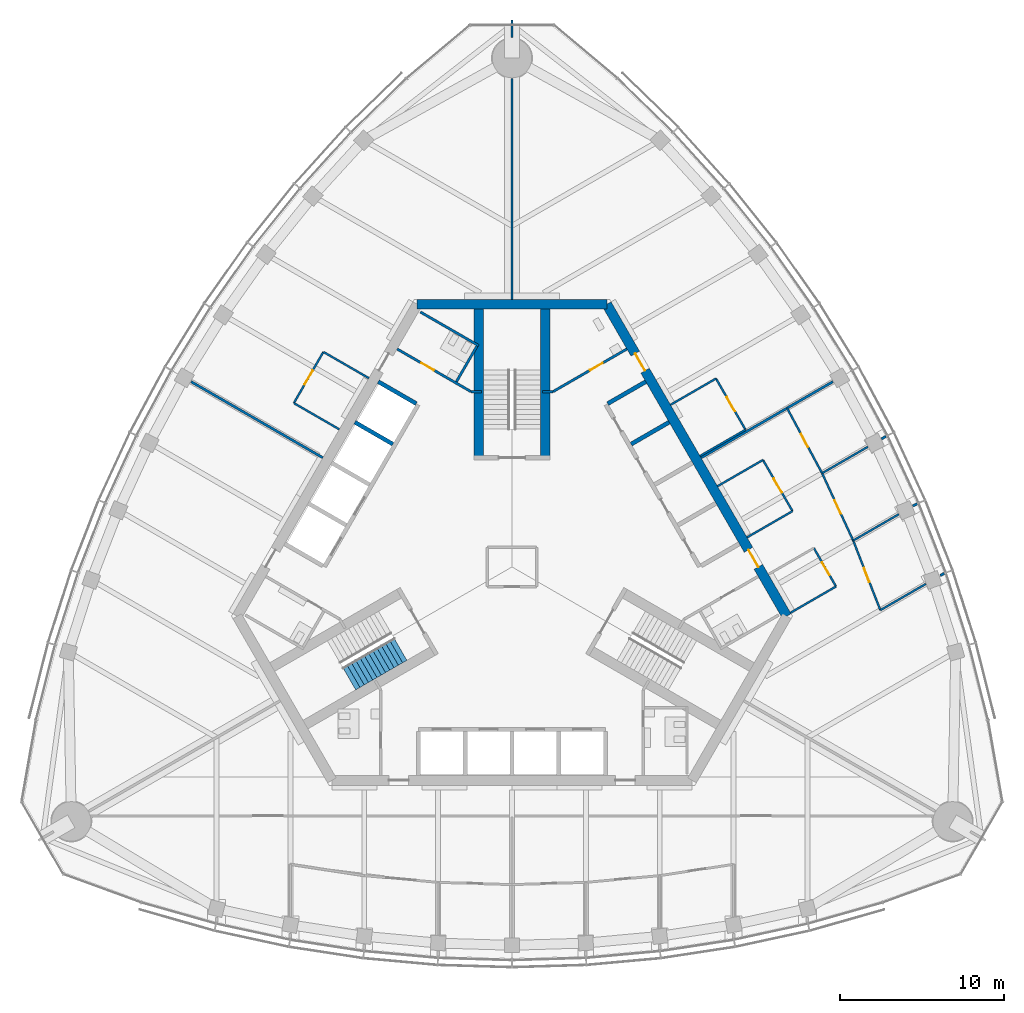
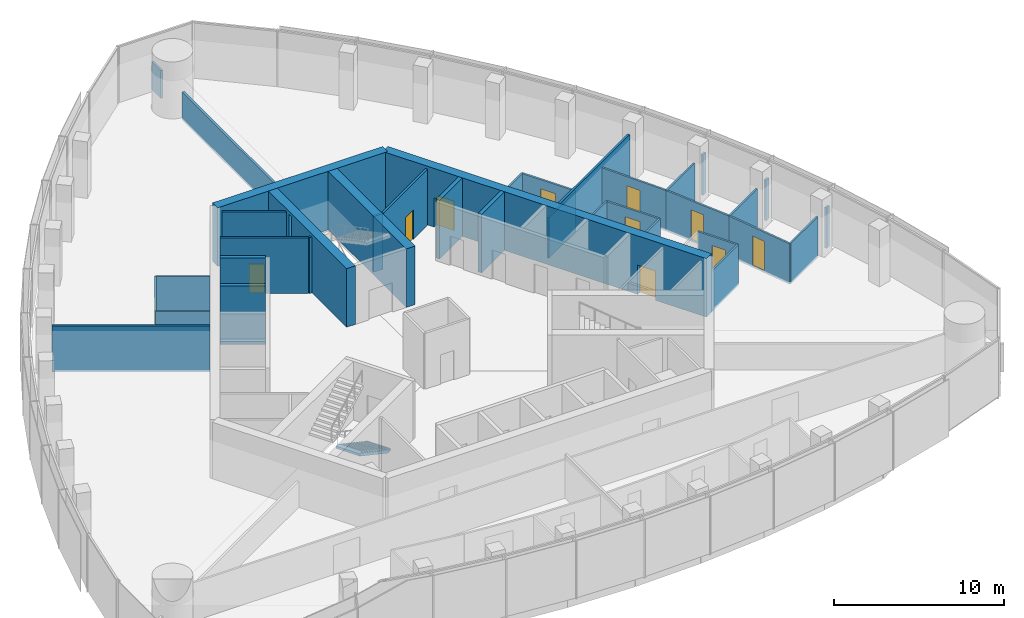
# One storey, part 10 of 16: 38 walls, 11 doors, 1 stair flight, 11 openings, 1 element without a shape of its own.
"""IFC4 building model written with IfcOpenShell, lengths in metres."""

from ifc_helpers import new_model, si_unit, direction, frame, frame_2d, origin, place, context, subcontext, project, spatial, polyline, rectangle, outline, extrude, material, layer, layer_set, type_object, element, fill, aggregate, save


model = new_model("IFC4")

# Units and contexts
model_context = context("Model", 3, precision=1e-05, world=origin(), true_north=direction((0.0, 1.0)))
body_context = subcontext(model_context, "Body", "Model", "MODEL_VIEW")
ifc_project = project(units=[si_unit("LENGTHUNIT", "METRE"), si_unit("AREAUNIT", "SQUARE_METRE"), si_unit("VOLUMEUNIT", "CUBIC_METRE"), si_unit("PLANEANGLEUNIT", "RADIAN"), si_unit("MASSUNIT", "GRAM", prefix="KILO")], contexts=[model_context])

# Site, building, storey
site_placement = place(None, origin())
site = spatial("IfcSite", under=ifc_project, at=site_placement, CompositionType="ELEMENT")
building_placement = place(site_placement, origin())
building = spatial("IfcBuilding", under=site, at=building_placement, Name="Trefoil Bronze Tower", CompositionType="ELEMENT")
storey_placement = place(building_placement, frame((0.0, 0.0, 318.300048828125)))
storey = spatial("IfcBuildingStorey", under=building, at=storey_placement, Name="L73", CompositionType="ELEMENT", Elevation=318.300048828125)

# Wall, openings, doors
ifc_material_1 = material(Name="Concrete B80", Category="concrete")
ifc_layer_1 = layer(ifc_material_1, 0.60009765625)
ifc_layer_set_1 = layer_set([ifc_layer_1], Name="Core wall 600")
wall_type_1 = type_object("IfcWallType", Name="Core wall 600", PredefinedType="SHEAR", material=ifc_layer_set_1)
wall_1_placement = place(storey_placement, frame((16.7431640625, -3.0, 0.0), z_axis=(0.0, 0.0, 1.0), x_axis=(-0.500002442456, 0.866023993627, 0.0)))
wall_1 = element("IfcWall", 1, at=wall_1_placement, inside=storey, type_object=wall_type_1, Name="Core long wall 2 L73", PredefinedType="SHEAR", context=body_context, shape_type="SweptSolid", body=[
    extrude(rectangle(XDim=21.939453125, YDim=0.60009765625, at=frame_2d((10.9697265625, 0.0))), origin(), (0.0, 0.0, 1.0), 4.199951171875),
])
opening_1_placement = place(wall_1_placement, frame((17.269775390625, 0.0, 0.0)))
opening_1 = element("IfcOpeningElement", 2, at=opening_1_placement, cuts=wall_1, Name="Opening D2", PredefinedType="OPENING", context=body_context, shape_type="SweptSolid", body=[
    extrude(rectangle(XDim=1.199951171875, YDim=2.10009765625, at=frame_2d((0.60009765625, 1.050048828125))), frame((0.0, 0.31005859375, 0.0), z_axis=(0.0, -1.0, 0.0), x_axis=(1.0, 0.0, 0.0)), (0.0, 0.0, 1.0), 0.6201171875),
])
opening_2_placement = place(wall_1_placement, frame((3.4697265625, 0.0, 0.0)))
opening_2 = element("IfcOpeningElement", 3, at=opening_2_placement, cuts=wall_1, Name="Opening D2", PredefinedType="OPENING", context=body_context, shape_type="SweptSolid", body=[
    extrude(rectangle(XDim=1.199951171875, YDim=2.10009765625, at=frame_2d((0.60009765625, 1.050048828125))), frame((0.0, 0.31005859375, 0.0), z_axis=(0.0, -1.0, 0.0), x_axis=(1.0, 0.0, 0.0)), (0.0, 0.0, 1.0), 0.6201171875),
])
ifc_material_2 = material(Name="Steel door", Category="steel")
door_type_1 = type_object("IfcDoorType", Name="Lobby door 1200", OperationType="SINGLE_SWING_RIGHT", PredefinedType="DOOR", material=ifc_material_2)
door_1_placement = place(opening_1_placement, origin())
door_1 = element("IfcDoor", 4, at=door_1_placement, inside=storey, type_object=door_type_1, Name="Lobby door F2+ L73", OperationType="SINGLE_SWING_RIGHT", OverallHeight=2.10009765625, OverallWidth=1.199951171875, PredefinedType="DOOR", context=body_context, shape_type="SweptSolid", body=[
    extrude(rectangle(XDim=1.199951171875, YDim=2.10009765625, at=frame_2d((0.60009765625, 1.050048828125))), frame((0.0, 0.02490234375, 0.0), z_axis=(0.0, -1.0, 0.0), x_axis=(1.0, 0.0, 0.0)), (0.0, 0.0, 1.0), 0.050048828125),
])
fill(opening_1, door_1)
door_2_placement = place(opening_2_placement, origin())
door_2 = element("IfcDoor", 5, at=door_2_placement, inside=storey, type_object=door_type_1, Name="Lobby door F2- L73", OperationType="SINGLE_SWING_LEFT", OverallHeight=2.10009765625, OverallWidth=1.199951171875, PredefinedType="DOOR", context=body_context, shape_type="SweptSolid", body=[
    extrude(rectangle(XDim=1.199951171875, YDim=2.10009765625, at=frame_2d((0.60009765625, 1.050048828125))), frame((0.0, 0.02490234375, 0.0), z_axis=(0.0, -1.0, 0.0), x_axis=(1.0, 0.0, 0.0)), (0.0, 0.0, 1.0), 0.050048828125),
])
fill(opening_2, door_2)

# Wall
wall_2_placement = place(storey_placement, frame((5.7734375, 16.0, 0.0), z_axis=(0.0, 0.0, 1.0), x_axis=(-1.0, 0.0, 0.0)))
element("IfcWall", 6, at=wall_2_placement, inside=storey, type_object=wall_type_1, Name="Core short wall 2 L73", PredefinedType="SHEAR", context=body_context, shape_type="SweptSolid", body=[
    extrude(rectangle(XDim=11.546875, YDim=0.60009765625, at=frame_2d((5.7734375, 0.0))), origin(), (0.0, 0.0, 1.0), 4.199951171875),
])

# Wall, opening, door
ifc_material_3 = material(Name="Glazed partition", Category="glass")
ifc_layer_2 = layer(ifc_material_3, 0.1201171875)
ifc_layer_set_2 = layer_set([ifc_layer_2], Name="Glazed partition 120")
wall_type_2 = type_object("IfcWallType", Name="Glazed partition 120", PredefinedType="PARTITIONING", material=ifc_layer_set_2)
wall_3_placement = place(storey_placement, frame((14.226806640625, 8.358154296875, 0.0), z_axis=(0.0, 0.0, 1.0), x_axis=(-0.499961193289, 0.866047807691, 0.0)))
wall_3 = element("IfcWall", 7, at=wall_3_placement, inside=storey, type_object=wall_type_2, Name="Partition F2 L73", PredefinedType="PARTITIONING", context=body_context, shape_type="SweptSolid", body=[
    extrude(rectangle(XDim=3.599853515625, YDim=0.1201171875, at=frame_2d((1.7998046875, 0.0))), origin(), (0.0, 0.0, 1.0), 2.89990234375),
])
opening_3_placement = place(wall_3_placement, frame((1.300048828125, 0.0, 0.14990234375)))
opening_3 = element("IfcOpeningElement", 8, at=opening_3_placement, cuts=wall_3, Name="Opening D9", PredefinedType="OPENING", context=body_context, shape_type="SweptSolid", body=[
    extrude(rectangle(XDim=1.0, YDim=2.10009765625, at=frame_2d((0.5, 1.050048828125))), frame((0.0, 0.070068359375, 0.0), z_axis=(0.0, -1.0, 0.0), x_axis=(1.0, 0.0, 0.0)), (0.0, 0.0, 1.0), 0.14013671875),
])
ifc_material_4 = material(Name="Glazed timber door", Category="wood")
door_type_2 = type_object("IfcDoorType", Name="Meeting room door 1000", OperationType="SINGLE_SWING_LEFT", PredefinedType="DOOR", material=ifc_material_4)
door_3_placement = place(opening_3_placement, origin())
door_3 = element("IfcDoor", 9, at=door_3_placement, inside=storey, type_object=door_type_2, Name="Meeting room door F2 L73", OperationType="SINGLE_SWING_LEFT", OverallHeight=2.10009765625, OverallWidth=1.0, PredefinedType="DOOR", context=body_context, shape_type="SweptSolid", body=[
    extrude(rectangle(XDim=1.0, YDim=2.10009765625, at=frame_2d((0.5, 1.050048828125))), frame((0.0, 0.02490234375, 0.0), z_axis=(0.0, -1.0, 0.0), x_axis=(1.0, 0.0, 0.0)), (0.0, 0.0, 1.0), 0.050048828125),
])
fill(opening_3, door_3)

wall_4_placement = place(storey_placement, frame((19.739501953125, -1.189697265625, 0.0), z_axis=(0.0, 0.0, 1.0), x_axis=(-0.50000943426, 0.866019956843, 0.0)))
wall_4 = element("IfcWall", 10, at=wall_4_placement, inside=storey, type_object=wall_type_2, Name="Partition F2 L73", PredefinedType="PARTITIONING", context=body_context, shape_type="SweptSolid", body=[
    extrude(rectangle(XDim=2.7001953125, YDim=0.1201171875, at=frame_2d((1.35009765625, 0.0))), origin(), (0.0, 0.0, 1.0), 2.89990234375),
])
opening_4_placement = place(wall_4_placement, frame((0.800048828125, 0.0, 0.14990234375)))
opening_4 = element("IfcOpeningElement", 11, at=opening_4_placement, cuts=wall_4, Name="Opening D8", PredefinedType="OPENING", context=body_context, shape_type="SweptSolid", body=[
    extrude(rectangle(XDim=0.89990234375, YDim=2.10009765625, at=frame_2d((0.449951171875, 1.050048828125))), frame((0.0, 0.070068359375, 0.0), z_axis=(0.0, -1.0, 0.0), x_axis=(1.0, 0.0, 0.0)), (0.0, 0.0, 1.0), 0.14013671875),
])
ifc_material_5 = material(Name="Timber door", Category="wood")
door_type_3 = type_object("IfcDoorType", Name="Office door 900", OperationType="SINGLE_SWING_LEFT", PredefinedType="DOOR", material=ifc_material_5)
door_4_placement = place(opening_4_placement, origin())
door_4 = element("IfcDoor", 12, at=door_4_placement, inside=storey, type_object=door_type_3, Name="Pantry door F2 L73", OperationType="SINGLE_SWING_LEFT", OverallHeight=2.10009765625, OverallWidth=0.89990234375, PredefinedType="DOOR", context=body_context, shape_type="SweptSolid", body=[
    extrude(rectangle(XDim=0.89990234375, YDim=2.10009765625, at=frame_2d((0.449951171875, 1.050048828125))), frame((0.0, 0.02490234375, 0.0), z_axis=(0.0, -1.0, 0.0), x_axis=(1.0, 0.0, 0.0)), (0.0, 0.0, 1.0), 0.050048828125),
])
fill(opening_4, door_4)

wall_5_placement = place(storey_placement, frame((17.08935546875, 3.400146484375, 0.0), z_axis=(0.0, 0.0, 1.0), x_axis=(-0.499982693035, 0.866035395735, 0.0)))
wall_5 = element("IfcWall", 13, at=wall_5_placement, inside=storey, type_object=wall_type_2, Name="Partition F2 L73", PredefinedType="PARTITIONING", context=body_context, shape_type="SweptSolid", body=[
    extrude(rectangle(XDim=3.600341796875, YDim=0.1201171875, at=frame_2d((1.80029296875, 0.0))), origin(), (0.0, 0.0, 1.0), 2.89990234375),
])
opening_5_placement = place(wall_5_placement, frame((1.300048828125, 0.0, 0.14990234375)))
opening_5 = element("IfcOpeningElement", 14, at=opening_5_placement, cuts=wall_5, Name="Opening D9", PredefinedType="OPENING", context=body_context, shape_type="SweptSolid", body=[
    extrude(rectangle(XDim=1.0, YDim=2.10009765625, at=frame_2d((0.5, 1.050048828125))), frame((0.0, 0.070068359375, 0.0), z_axis=(0.0, -1.0, 0.0), x_axis=(1.0, 0.0, 0.0)), (0.0, 0.0, 1.0), 0.14013671875),
])
door_5_placement = place(opening_5_placement, origin())
door_5 = element("IfcDoor", 15, at=door_5_placement, inside=storey, type_object=door_type_2, Name="Meeting room door F2 L73", OperationType="SINGLE_SWING_RIGHT", OverallHeight=2.10009765625, OverallWidth=1.0, PredefinedType="DOOR", context=body_context, shape_type="SweptSolid", body=[
    extrude(rectangle(XDim=1.0, YDim=2.10009765625, at=frame_2d((0.5, 1.050048828125))), frame((0.0, 0.02490234375, 0.0), z_axis=(0.0, -1.0, 0.0), x_axis=(1.0, 0.0, 0.0)), (0.0, 0.0, 1.0), 0.050048828125),
])
fill(opening_5, door_5)

# Walls
wall_6_placement = place(storey_placement, frame((11.45556640625, 6.75830078125, 0.0), z_axis=(0.0, 0.0, 1.0), x_axis=(0.866042017984, 0.499971222258, 0.0)))
element("IfcWall", 16, at=wall_6_placement, inside=storey, type_object=wall_type_2, Name="Partition F2 L73", PredefinedType="PARTITIONING", context=body_context, shape_type="SweptSolid", body=[
    extrude(rectangle(XDim=3.199951171875, YDim=0.1201171875, at=frame_2d((1.60009765625, 0.0))), origin(), (0.0, 0.0, 1.0), 2.89990234375),
])
for number, where, z_axis, x_axis, name in (
    (17, (9.655517578125, 9.8759765625, 0.0), (0.0, 0.0, 1.0), (0.866061088033, 0.499938187974, 0.0), "Partition F2 L73"),
    (18, (16.968017578125, -2.789794921875, 0.0), (0.0, 0.0, 1.0), (0.866028054938, 0.499995408039, 0.0), "Partition F2 L73"),
):
    element("IfcWall", number, at=place(storey_placement, frame(where, z_axis=z_axis, x_axis=x_axis)), inside=storey, type_object=wall_type_2, Name=name, PredefinedType="PARTITIONING", context=body_context, shape_type="SweptSolid", body=[
        extrude(rectangle(XDim=3.2001953125, YDim=0.1201171875, at=frame_2d((1.60009765625, 0.0))), origin(), (0.0, 0.0, 1.0), 2.89990234375),
    ])
for number, where, z_axis, x_axis, name in (
    (19, (12.51806640625, 4.91796875, 0.0), (0.0, 0.0, 1.0), (0.866008981251, 0.500028443584, 0.0), "Partition F2 L73"),
    (20, (14.318115234375, 1.80029296875, 0.0), (0.0, 0.0, 1.0), (0.866042017984, 0.499971222258, 0.0), "Partition F2 L73"),
):
    element("IfcWall", number, at=place(storey_placement, frame(where, z_axis=z_axis, x_axis=x_axis)), inside=storey, type_object=wall_type_2, Name=name, PredefinedType="PARTITIONING", context=body_context, shape_type="SweptSolid", body=[
        extrude(rectangle(XDim=3.199951171875, YDim=0.1201171875, at=frame_2d((1.60009765625, 0.0))), origin(), (0.0, 0.0, 1.0), 2.89990234375),
    ])

# Wall, opening, door
wall_7_placement = place(storey_placement, frame((22.439208984375, -2.63330078125, 0.0), z_axis=(0.0, 0.0, 1.0), x_axis=(-0.363212149153, 0.931706463811, 0.0)))
wall_7 = element("IfcWall", 21, at=wall_7_placement, inside=storey, type_object=wall_type_2, Name="Partition F2 L73", PredefinedType="PARTITIONING", context=body_context, shape_type="SweptSolid", body=[
    extrude(rectangle(XDim=4.552734375, YDim=0.1201171875, at=frame_2d((2.2763671875, 0.0))), origin(), (0.0, 0.0, 1.0), 2.89990234375),
])
opening_6_placement = place(wall_7_placement, frame((1.85009765625, 0.0, 0.14990234375)))
opening_6 = element("IfcOpeningElement", 22, at=opening_6_placement, cuts=wall_7, Name="Opening D8", PredefinedType="OPENING", context=body_context, shape_type="SweptSolid", body=[
    extrude(rectangle(XDim=0.89990234375, YDim=2.10009765625, at=frame_2d((0.449951171875, 1.050048828125))), frame((0.0, 0.070068359375, 0.0), z_axis=(0.0, -1.0, 0.0), x_axis=(1.0, 0.0, 0.0)), (0.0, 0.0, 1.0), 0.14013671875),
])
door_6_placement = place(opening_6_placement, frame((0.89990234375, 0.0, 0.0), z_axis=(0.0, 0.0, 1.0), x_axis=(-1.0, 0.0, 0.0)))
door_6 = element("IfcDoor", 23, at=door_6_placement, inside=storey, type_object=door_type_3, Name="Members' office door F2 L73", OperationType="SINGLE_SWING_LEFT", OverallHeight=2.10009765625, OverallWidth=0.89990234375, PredefinedType="DOOR", context=body_context, shape_type="SweptSolid", body=[
    extrude(rectangle(XDim=0.89990234375, YDim=2.10009765625, at=frame_2d((0.449951171875, 1.050048828125))), frame((0.0, 0.02490234375, 0.0), z_axis=(0.0, -1.0, 0.0), x_axis=(1.0, 0.0, 0.0)), (0.0, 0.0, 1.0), 0.050048828125),
])
fill(opening_6, door_6)

wall_8_placement = place(storey_placement, frame((18.890869140625, 5.71044921875, 0.0), z_axis=(0.0, 0.0, 1.0), x_axis=(-0.473524102582, 0.880780860529, 0.0)))
wall_8 = element("IfcWall", 24, at=wall_8_placement, inside=storey, type_object=wall_type_2, Name="Partition F2 L73", PredefinedType="PARTITIONING", context=body_context, shape_type="SweptSolid", body=[
    extrude(rectangle(XDim=4.501953125, YDim=0.1201171875, at=frame_2d((2.2509765625, 0.0))), origin(), (0.0, 0.0, 1.0), 2.89990234375),
])
opening_7_placement = place(wall_8_placement, frame((1.800048828125, 0.0, 0.14990234375)))
opening_7 = element("IfcOpeningElement", 25, at=opening_7_placement, cuts=wall_8, Name="Opening D8", PredefinedType="OPENING", context=body_context, shape_type="SweptSolid", body=[
    extrude(rectangle(XDim=0.89990234375, YDim=2.10009765625, at=frame_2d((0.449951171875, 1.050048828125))), frame((0.0, 0.070068359375, 0.0), z_axis=(0.0, -1.0, 0.0), x_axis=(1.0, 0.0, 0.0)), (0.0, 0.0, 1.0), 0.14013671875),
])
door_7_placement = place(opening_7_placement, frame((0.89990234375, 0.0, 0.0), z_axis=(0.0, 0.0, 1.0), x_axis=(-1.0, 0.0, 0.0)))
door_7 = element("IfcDoor", 26, at=door_7_placement, inside=storey, type_object=door_type_3, Name="Members' office door F2 L73", OperationType="SINGLE_SWING_RIGHT", OverallHeight=2.10009765625, OverallWidth=0.89990234375, PredefinedType="DOOR", context=body_context, shape_type="SweptSolid", body=[
    extrude(rectangle(XDim=0.89990234375, YDim=2.10009765625, at=frame_2d((0.449951171875, 1.050048828125))), frame((0.0, 0.02490234375, 0.0), z_axis=(0.0, -1.0, 0.0), x_axis=(1.0, 0.0, 0.0)), (0.0, 0.0, 1.0), 0.050048828125),
])
fill(opening_7, door_7)

wall_9_placement = place(storey_placement, frame((20.78564453125, 1.6083984375, 0.0), z_axis=(0.0, 0.0, 1.0), x_axis=(-0.419335693458, 0.907831248742, 0.0)))
wall_9 = element("IfcWall", 27, at=wall_9_placement, inside=storey, type_object=wall_type_2, Name="Partition F2 L73", PredefinedType="PARTITIONING", context=body_context, shape_type="SweptSolid", body=[
    extrude(rectangle(XDim=4.5185546875, YDim=0.1201171875, at=frame_2d((2.25927734375, 0.0))), origin(), (0.0, 0.0, 1.0), 2.89990234375),
])
opening_8_placement = place(wall_9_placement, frame((1.800048828125, 0.0, 0.14990234375)))
opening_8 = element("IfcOpeningElement", 28, at=opening_8_placement, cuts=wall_9, Name="Opening D8", PredefinedType="OPENING", context=body_context, shape_type="SweptSolid", body=[
    extrude(rectangle(XDim=0.89990234375, YDim=2.10009765625, at=frame_2d((0.449951171875, 1.050048828125))), frame((0.0, 0.070068359375, 0.0), z_axis=(0.0, -1.0, 0.0), x_axis=(1.0, 0.0, 0.0)), (0.0, 0.0, 1.0), 0.14013671875),
])
door_8_placement = place(opening_8_placement, frame((0.89990234375, 0.0, 0.0), z_axis=(0.0, 0.0, 1.0), x_axis=(-1.0, 0.0, 0.0)))
door_8 = element("IfcDoor", 29, at=door_8_placement, inside=storey, type_object=door_type_3, Name="Members' office door F2 L73", OperationType="SINGLE_SWING_RIGHT", OverallHeight=2.10009765625, OverallWidth=0.89990234375, PredefinedType="DOOR", context=body_context, shape_type="SweptSolid", body=[
    extrude(rectangle(XDim=0.89990234375, YDim=2.10009765625, at=frame_2d((0.449951171875, 1.050048828125))), frame((0.0, 0.02490234375, 0.0), z_axis=(0.0, -1.0, 0.0), x_axis=(1.0, 0.0, 0.0)), (0.0, 0.0, 1.0), 0.050048828125),
])
fill(opening_8, door_8)

# Walls
wall_10_placement = place(storey_placement, frame((22.439208984375, -2.63330078125, 0.0), z_axis=(0.0, 0.0, 1.0), x_axis=(0.866012717091, 0.500021973353, 0.0)))
element("IfcWall", 30, at=wall_10_placement, inside=storey, type_object=wall_type_2, Name="Partition F2 L73", PredefinedType="PARTITIONING", context=body_context, shape_type="SweptSolid", body=[
    extrude(rectangle(XDim=3.198486328125, YDim=0.1201171875, at=frame_2d((1.59912109375, 0.0))), origin(), (0.0, 0.0, 1.0), 2.89990234375),
])
wall_11_placement = place(storey_placement, frame((18.890869140625, 5.71044921875, 0.0), z_axis=(0.0, 0.0, 1.0), x_axis=(0.866021328928, 0.500007057792, 0.0)))
element("IfcWall", 31, at=wall_11_placement, inside=storey, type_object=wall_type_2, Name="Partition F2 L73", PredefinedType="PARTITIONING", context=body_context, shape_type="SweptSolid", body=[
    extrude(rectangle(XDim=3.2177734375, YDim=0.1201171875, at=frame_2d((1.60888671875, 0.0))), origin(), (0.0, 0.0, 1.0), 2.89990234375),
])
wall_12_placement = place(storey_placement, frame((20.78564453125, 1.6083984375, 0.0), z_axis=(0.0, 0.0, 1.0), x_axis=(0.866039964284, 0.499974779627, 0.0)))
element("IfcWall", 32, at=wall_12_placement, inside=storey, type_object=wall_type_2, Name="Partition F2 L73", PredefinedType="PARTITIONING", context=body_context, shape_type="SweptSolid", body=[
    extrude(rectangle(XDim=3.210693359375, YDim=0.1201171875, at=frame_2d((1.60546875, 0.0))), origin(), (0.0, 0.0, 1.0), 2.89990234375),
])

# Wall, opening, door
wall_13_placement = place(storey_placement, frame((-11.489501953125, 13.099853515625, 0.0), z_axis=(0.0, 0.0, 1.0), x_axis=(-0.499931829785, -0.866064758299, 0.0)))
wall_13 = element("IfcWall", 33, at=wall_13_placement, inside=storey, type_object=wall_type_2, Name="Partition F3 L73", PredefinedType="PARTITIONING", context=body_context, shape_type="SweptSolid", body=[
    extrude(rectangle(XDim=3.60009765625, YDim=0.1201171875, at=frame_2d((1.800048828125, 0.0))), origin(), (0.0, 0.0, 1.0), 2.89990234375),
])
opening_9_placement = place(wall_13_placement, frame((1.300048828125, 0.0, 0.14990234375)))
opening_9 = element("IfcOpeningElement", 34, at=opening_9_placement, cuts=wall_13, Name="Opening D9", PredefinedType="OPENING", context=body_context, shape_type="SweptSolid", body=[
    extrude(rectangle(XDim=1.0, YDim=2.10009765625, at=frame_2d((0.5, 1.050048828125))), frame((0.0, 0.070068359375, 0.0), z_axis=(0.0, -1.0, 0.0), x_axis=(1.0, 0.0, 0.0)), (0.0, 0.0, 1.0), 0.14013671875),
])
door_9_placement = place(opening_9_placement, origin())
door_9 = element("IfcDoor", 35, at=door_9_placement, inside=storey, type_object=door_type_2, Name="Meeting room door F3 L73", OperationType="SINGLE_SWING_RIGHT", OverallHeight=2.10009765625, OverallWidth=1.0, PredefinedType="DOOR", context=body_context, shape_type="SweptSolid", body=[
    extrude(rectangle(XDim=1.0, YDim=2.10009765625, at=frame_2d((0.5, 1.050048828125))), frame((0.0, 0.02490234375, 0.0), z_axis=(0.0, -1.0, 0.0), x_axis=(1.0, 0.0, 0.0)), (0.0, 0.0, 1.0), 0.050048828125),
])
fill(opening_9, door_9)

# Walls
wall_14_placement = place(storey_placement, frame((-10.51806640625, 8.382080078125, 0.0), z_axis=(0.0, 0.0, 1.0), x_axis=(-0.866042017984, 0.499971222258, 0.0)))
element("IfcWall", 36, at=wall_14_placement, inside=storey, type_object=wall_type_2, Name="Partition F3 L73", PredefinedType="PARTITIONING", context=body_context, shape_type="SweptSolid", body=[
    extrude(rectangle(XDim=3.199951171875, YDim=0.1201171875, at=frame_2d((1.60009765625, 0.0))), origin(), (0.0, 0.0, 1.0), 2.89990234375),
])
wall_15_placement = place(storey_placement, frame((-8.718017578125, 11.499755859375, 0.0), z_axis=(0.0, 0.0, 1.0), x_axis=(-0.866028054938, 0.499995408039, 0.0)))
element("IfcWall", 37, at=wall_15_placement, inside=storey, type_object=wall_type_2, Name="Partition F3 L73", PredefinedType="PARTITIONING", context=body_context, shape_type="SweptSolid", body=[
    extrude(rectangle(XDim=3.2001953125, YDim=0.1201171875, at=frame_2d((1.60009765625, 0.0))), origin(), (0.0, 0.0, 1.0), 2.89990234375),
])

# Wall, opening, door
ifc_material_6 = material(Name="Gypsum board on steel studs", Category="steel")
ifc_layer_3 = layer(ifc_material_6, 0.14990234375)
ifc_layer_set_3 = layer_set([ifc_layer_3], Name="Partition 150")
wall_type_3 = type_object("IfcWallType", Name="Partition 150", PredefinedType="PARTITIONING", material=ifc_layer_set_3)
wall_16_placement = place(storey_placement, frame((2.4951171875, 10.67822265625, 0.0), z_axis=(0.0, 0.0, 1.0), x_axis=(0.866021400173, 0.500006934395, 0.0)))
wall_16 = element("IfcWall", 38, at=wall_16_placement, inside=storey, type_object=wall_type_3, Name="Passage wall F2+ L73", PredefinedType="PARTITIONING", context=body_context, shape_type="SweptSolid", body=[
    extrude(rectangle(XDim=5.2001953125, YDim=0.14990234375, at=frame_2d((2.60009765625, 0.0))), origin(), (0.0, 0.0, 1.0), 4.0),
])
opening_10_placement = place(wall_16_placement, frame((2.60009765625, 0.0, 0.0)))
opening_10 = element("IfcOpeningElement", 39, at=opening_10_placement, cuts=wall_16, Name="Opening D3", PredefinedType="OPENING", context=body_context, shape_type="SweptSolid", body=[
    extrude(rectangle(XDim=0.89990234375, YDim=2.10009765625, at=frame_2d((0.449951171875, 1.050048828125))), frame((0.0, 0.0849609375, 0.0), z_axis=(0.0, -1.0, 0.0), x_axis=(1.0, 0.0, 0.0)), (0.0, 0.0, 1.0), 0.169921875),
])
ifc_material_7 = material(Name="Timber door", Category="wood")
door_type_4 = type_object("IfcDoorType", Name="WC door 900", OperationType="SINGLE_SWING_LEFT", PredefinedType="DOOR", material=ifc_material_7)
door_10_placement = place(opening_10_placement, origin())
door_10 = element("IfcDoor", 40, at=door_10_placement, inside=storey, type_object=door_type_4, Name="Accessible WC door L73", OperationType="SINGLE_SWING_RIGHT", OverallHeight=2.10009765625, OverallWidth=0.89990234375, PredefinedType="DOOR", context=body_context, shape_type="SweptSolid", body=[
    extrude(rectangle(XDim=0.89990234375, YDim=2.10009765625, at=frame_2d((0.449951171875, 1.050048828125))), frame((0.0, 0.02490234375, 0.0), z_axis=(0.0, -1.0, 0.0), x_axis=(1.0, 0.0, 0.0)), (0.0, 0.0, 1.0), 0.050048828125),
])
fill(opening_10, door_10)

wall_17_placement = place(storey_placement, frame((-2.4951171875, 10.67822265625, 0.0), z_axis=(0.0, 0.0, 1.0), x_axis=(-0.866021400173, 0.500006934395, 0.0)))
wall_17 = element("IfcWall", 41, at=wall_17_placement, inside=storey, type_object=wall_type_3, Name="Passage wall F3- L73", PredefinedType="PARTITIONING", context=body_context, shape_type="SweptSolid", body=[
    extrude(rectangle(XDim=5.2001953125, YDim=0.14990234375, at=frame_2d((2.60009765625, 0.0))), origin(), (0.0, 0.0, 1.0), 4.0),
])
opening_11_placement = place(wall_17_placement, frame((2.60009765625, 0.0, 0.0)))
opening_11 = element("IfcOpeningElement", 42, at=opening_11_placement, cuts=wall_17, Name="Opening D3", PredefinedType="OPENING", context=body_context, shape_type="SweptSolid", body=[
    extrude(rectangle(XDim=0.89990234375, YDim=2.10009765625, at=frame_2d((0.449951171875, 1.050048828125))), frame((0.0, 0.0849609375, 0.0), z_axis=(0.0, -1.0, 0.0), x_axis=(1.0, 0.0, 0.0)), (0.0, 0.0, 1.0), 0.169921875),
])
door_11_placement = place(opening_11_placement, frame((0.89990234375, 0.0, 0.0), z_axis=(0.0, 0.0, 1.0), x_axis=(-1.0, 0.0, 0.0)))
door_11 = element("IfcDoor", 43, at=door_11_placement, inside=storey, type_object=door_type_4, Name="WC (women) door L73", OperationType="SINGLE_SWING_RIGHT", OverallHeight=2.10009765625, OverallWidth=0.89990234375, PredefinedType="DOOR", context=body_context, shape_type="SweptSolid", body=[
    extrude(rectangle(XDim=0.89990234375, YDim=2.10009765625, at=frame_2d((0.449951171875, 1.050048828125))), frame((0.0, 0.02490234375, 0.0), z_axis=(0.0, -1.0, 0.0), x_axis=(1.0, 0.0, 0.0)), (0.0, 0.0, 1.0), 0.050048828125),
])
fill(opening_11, door_11)

# Walls
for number, where, z_axis, x_axis, name in (
    (44, (2.4951171875, 10.67822265625, 0.0), (0.0, 0.0, 1.0), (-1.0, 0.0, 0.0), "WC wall ST2-1 L73"),
    (45, (-2.4951171875, 10.67822265625, 0.0), (0.0, 0.0, 1.0), (1.0, 0.0, 0.0), "WC wall ST2+1 L73"),
):
    element("IfcWall", number, at=place(storey_placement, frame(where, z_axis=z_axis, x_axis=x_axis)), inside=storey, type_object=wall_type_3, Name=name, PredefinedType="PARTITIONING", context=body_context, shape_type="SweptSolid", body=[
        extrude(rectangle(XDim=0.64501953125, YDim=0.14990234375, at=frame_2d((0.322509765625, 0.0))), origin(), (0.0, 0.0, 1.0), 4.0),
    ])
wall_18_placement = place(storey_placement, frame((-2.03125, 13.48193359375, 0.0), z_axis=(0.0, 0.0, 1.0), x_axis=(-0.866050731258, 0.499956128963, 0.0)))
element("IfcWall", 46, at=wall_18_placement, inside=storey, type_object=wall_type_3, Name="WC partition WC (women) L73", PredefinedType="PARTITIONING", context=body_context, shape_type="SweptSolid", body=[
    extrude(rectangle(XDim=4.099853515625, YDim=0.14990234375, at=frame_2d((2.0498046875, 0.0))), origin(), (0.0, 0.0, 1.0), 4.0),
])
wall_19_placement = place(storey_placement, frame((-3.388671875, 11.28076171875, 0.0), z_axis=(0.0, 0.0, 1.0), x_axis=(0.499989096993, 0.866031698547, 0.0)))
element("IfcWall", 47, at=wall_19_placement, inside=storey, type_object=wall_type_3, Name="WC partition WC (women) L73", PredefinedType="PARTITIONING", context=body_context, shape_type="SweptSolid", body=[
    extrude(rectangle(XDim=2.509765625, YDim=0.14990234375, at=frame_2d((1.2548828125, 0.0))), origin(), (0.0, 0.0, 1.0), 4.0),
])
wall_20_placement = place(storey_placement, frame((26.08935546875, -0.52587890625, 0.0), z_axis=(0.0, 0.0, 1.0), x_axis=(0.865982457891, 0.500074377092, 0.0)))
element("IfcWall", 48, at=wall_20_placement, inside=storey, type_object=wall_type_3, Name="Partition F2 L73", PredefinedType="PARTITIONING", context=body_context, shape_type="SweptSolid", body=[
    extrude(rectangle(XDim=0.2802734375, YDim=0.14990234375, at=frame_2d((0.14013671875, 0.0))), origin(), (0.0, 0.0, 1.0), 2.89990234375),
])
wall_21_placement = place(storey_placement, frame((22.510009765625, 7.800048828125, 0.0), z_axis=(0.0, 0.0, 1.0), x_axis=(0.866095534226, 0.499878510834, 0.0)))
element("IfcWall", 49, at=wall_21_placement, inside=storey, type_object=wall_type_3, Name="Partition F2 L73", PredefinedType="PARTITIONING", context=body_context, shape_type="SweptSolid", body=[
    extrude(rectangle(XDim=0.31591796875, YDim=0.14990234375, at=frame_2d((0.157958984375, 0.0))), origin(), (0.0, 0.0, 1.0), 2.89990234375),
])
wall_22_placement = place(storey_placement, frame((24.42236328125, 3.7080078125, 0.0), z_axis=(0.0, 0.0, 1.0), x_axis=(0.866254317358, 0.499603300288, 0.0)))
element("IfcWall", 50, at=wall_22_placement, inside=storey, type_object=wall_type_3, Name="Partition F2 L73", PredefinedType="PARTITIONING", context=body_context, shape_type="SweptSolid", body=[
    extrude(rectangle(XDim=0.295654296875, YDim=0.14990234375, at=frame_2d((0.14794921875, 0.0))), origin(), (0.0, 0.0, 1.0), 2.89990234375),
])
ifc_material_8 = material(Name="Gypsum board on steel studs", Category="steel")
ifc_layer_4 = layer(ifc_material_8, 0.14990234375)
ifc_layer_set_4 = layer_set([ifc_layer_4], Name="Party wall 150")
wall_type_4 = type_object("IfcWallType", Name="Party wall 150", PredefinedType="PARTITIONING", material=ifc_layer_set_4)
wall_23_placement = place(storey_placement, frame((0.0, 16.300048828125, 0.0), z_axis=(0.0, 0.0, 1.0), x_axis=(0.0, 1.0, 0.0)))
element("IfcWall", 51, at=wall_23_placement, inside=storey, type_object=wall_type_4, Name="Party wall K2 L73", PredefinedType="PARTITIONING", context=body_context, shape_type="SweptSolid", body=[
    extrude(rectangle(XDim=13.449951171875, YDim=0.14990234375, at=frame_2d((6.72509765625, 0.0))), origin(), (0.0, 0.0, 1.0), 2.0),
])
wall_24_placement = place(storey_placement, frame((0.0, 32.25, 0.0), z_axis=(0.0, 0.0, 1.0), x_axis=(0.0, 1.0, 0.0)))
element("IfcWall", 52, at=wall_24_placement, inside=storey, type_object=wall_type_4, Name="Party wall K2 L73", PredefinedType="PARTITIONING", context=body_context, shape_type="SweptSolid", body=[
    extrude(rectangle(XDim=1.06982421875, YDim=0.14990234375, at=frame_2d((0.534912109375, 0.0))), origin(), (0.0, 0.0, 1.0), 2.0),
])
for number, where, z_axis, x_axis, name in (
    (53, (11.52685546875, 6.655029296875, 0.0), (0.0, 0.0, 1.0), (0.866021846952, 0.500006160563, 0.0), "Demising wall F2 L73"),
    (54, (-11.52685546875, 6.655029296875, 0.0), (0.0, 0.0, 1.0), (-0.866021846952, 0.500006160563, 0.0), "Demising wall F3 L73"),
):
    element("IfcWall", number, at=place(storey_placement, frame(where, z_axis=z_axis, x_axis=x_axis)), inside=storey, type_object=wall_type_4, Name=name, PredefinedType="PARTITIONING", context=body_context, shape_type="SweptSolid", body=[
        extrude(rectangle(XDim=9.26171875, YDim=0.14990234375, at=frame_2d((4.630859375, 0.0))), origin(), (0.0, 0.0, 1.0), 3.300048828125),
    ])
ifc_material_9 = material(Name="Concrete B80", Category="concrete")
ifc_layer_5 = layer(ifc_material_9, 0.25)
ifc_layer_set_5 = layer_set([ifc_layer_5], Name="Shaft wall 250")
wall_type_5 = type_object("IfcWallType", Name="Shaft wall 250", PredefinedType="SHEAR", material=ifc_layer_set_5)
for number, where, z_axis, x_axis, name in (
    (55, (7.2568359375, 7.480712890625, 0.0), (0.0, 0.0, 1.0), (0.86604424267, 0.499967368674, 0.0), "Lift shaft side wall B3 L73"),
    (56, (5.831787109375, 9.94873046875, 0.0), (0.0, 0.0, 1.0), (0.866004723184, 0.50003581814, 0.0), "Lift shaft side wall B4 L73"),
    (57, (-5.831787109375, 9.94873046875, 0.0), (0.0, 0.0, 1.0), (-0.866004723184, 0.50003581814, 0.0), "Lift shaft side wall C0 L73"),
    (58, (-7.2568359375, 7.480712890625, 0.0), (0.0, 0.0, 1.0), (-0.86604424267, 0.499967368674, 0.0), "Lift shaft side wall C1 L73"),
):
    element("IfcWall", number, at=place(storey_placement, frame(where, z_axis=z_axis, x_axis=x_axis)), inside=storey, type_object=wall_type_5, Name=name, PredefinedType="SHEAR", context=body_context, shape_type="SweptSolid", body=[
        extrude(rectangle(XDim=2.675048828125, YDim=0.25, at=frame_2d((1.33740234375, 0.0))), origin(), (0.0, 0.0, 1.0), 4.199951171875),
    ])
ifc_material_10 = material(Name="Concrete B80", Category="concrete")
ifc_layer_6 = layer(ifc_material_10, 0.60009765625)
ifc_layer_set_6 = layer_set([ifc_layer_6], Name="Stair wall 600")
wall_type_6 = type_object("IfcWallType", Name="Stair wall 600", PredefinedType="SHEAR", material=ifc_layer_set_6)
for number, where, z_axis, x_axis, name in (
    (59, (2.02490234375, 6.52490234375, 0.0), (0.0, 0.0, 1.0), (0.0, 1.0, 0.0), "Stair wall ST2 L73"),
    (60, (-2.02490234375, 6.52490234375, 0.0), (0.0, 0.0, 1.0), (0.0, 1.0, 0.0), "Stair wall ST2 L73"),
):
    element("IfcWall", number, at=place(storey_placement, frame(where, z_axis=z_axis, x_axis=x_axis)), inside=storey, type_object=wall_type_6, Name=name, PredefinedType="SHEAR", context=body_context, shape_type="SweptSolid", body=[
        extrude(rectangle(XDim=9.175048828125, YDim=0.60009765625, at=frame_2d((4.58740234375, 0.0))), origin(), (0.0, 0.0, 1.0), 4.199951171875),
    ])

# Stair, stair flight
ifc_material_11 = material(Name="Precast concrete B80", Category="concrete")
stair_type = type_object("IfcStairType", Name="Exit stair 26 risers", PredefinedType="HALF_TURN_STAIR", material=ifc_material_11)
stair_placement = place(storey_placement, origin())
stair = element("IfcStair", 61, at=stair_placement, inside=storey, type_object=stair_type, Name="Stair ST3 L73", PredefinedType="HALF_TURN_STAIR")
ifc_material_12 = material(Name="Precast concrete B80", Category="concrete")
stair_flight_type = type_object("IfcStairFlightType", Name="Stair flight 1600", PredefinedType="STRAIGHT", material=ifc_material_12)
stair_flight_placement = place(storey_placement, frame((-6.803466796875, -4.99609375, 0.0), z_axis=(0.0, 0.0, 1.0), x_axis=(-0.866025403784, -0.5, 0.0)))
stair_flight = element("IfcStairFlight", 62, at=stair_flight_placement, type_object=stair_flight_type, Name="ST3 flight 1", NumberOfRisers=13, NumberOfTreads=12, PredefinedType="STRAIGHT", RiserHeight=0.161538462, TreadLength=0.3, context=body_context, shape_type="SweptSolid", body=[
    extrude(outline(polyline([(0.0, 0.0), (0.0, 0.16162109375), (0.300048828125, 0.16162109375), (0.300048828125, 0.322998046875), (0.60009765625, 0.322998046875), (0.60009765625, 0.484619140625), (0.89990234375, 0.484619140625), (0.89990234375, 0.646240234375), (1.199951171875, 0.646240234375), (1.199951171875, 0.8076171875), (1.5, 0.8076171875), (1.5, 0.96923828125), (1.800048828125, 0.96923828125), (1.800048828125, 1.130859375), (2.10009765625, 1.130859375), (2.10009765625, 1.292236328125), (2.39990234375, 1.292236328125), (2.39990234375, 1.453857421875), (2.699951171875, 1.453857421875), (2.699951171875, 1.615478515625), (3.0, 1.615478515625), (3.0, 1.77685546875), (3.300048828125, 1.77685546875), (3.300048828125, 1.9384765625), (3.60009765625, 1.9384765625), (3.60009765625, 2.10009765625), (3.60009765625, 1.768310546875), (0.316162109375, 0.0), (0.0, 0.0)])), frame((0.0, 0.800048828125, 0.0), z_axis=(0.0, -1.0, 0.0), x_axis=(1.0, 0.0, 0.0)), (0.0, 0.0, 1.0), 1.60009765625),
])
aggregate(stair, [stair_flight])

save(model, "model.ifc")
